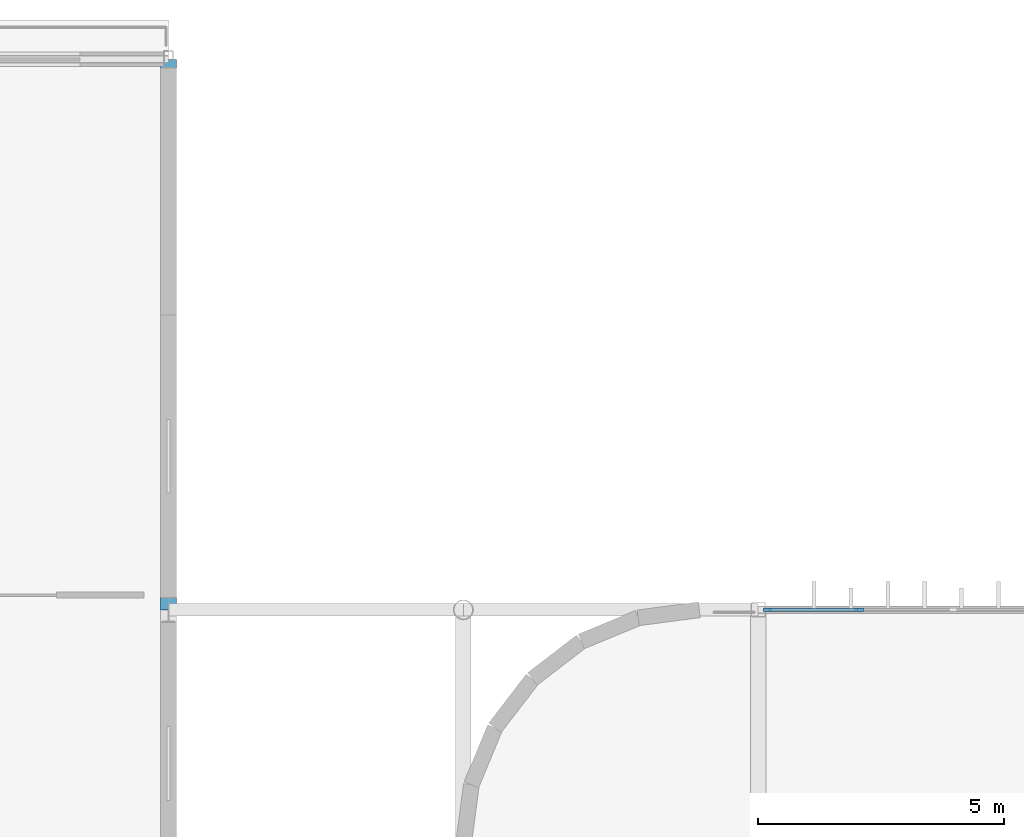
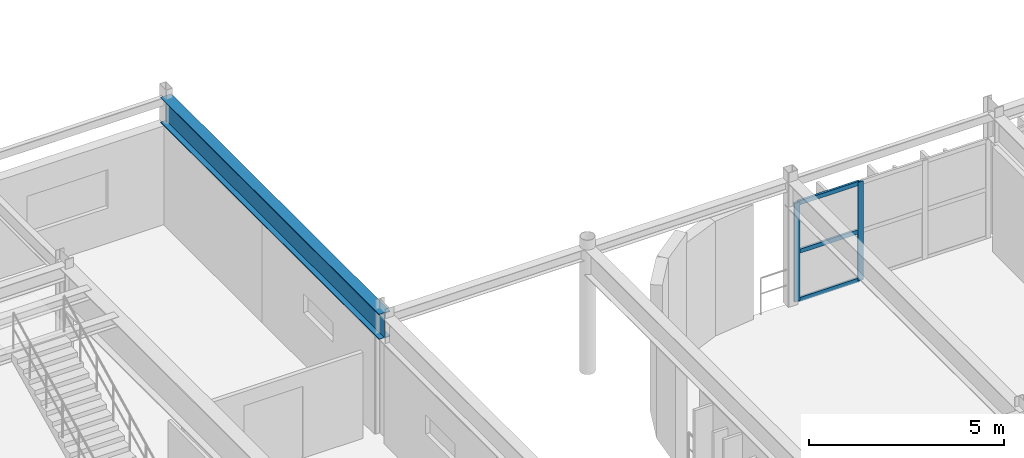
# One storey, part 66 of 116: 5 members, 1 beam, 1 element without a shape of its own.
"""IFC4 building model written with IfcOpenShell, lengths in metres."""

from ifc_helpers import new_model, si_unit, direction, frame, origin, origin_2d, place, context, subcontext, project, spatial, rectangle, i_section, extrude, material, material_profile, profile_set, type_object, element, aggregate, save


model = new_model("IFC4")

# Units and contexts
model_context = context("Model", 3, precision=1e-05, world=origin(), true_north=direction((0.0, 1.0)))
body_context = subcontext(model_context, "Body", "Model", "MODEL_VIEW")
ifc_project = project(units=[si_unit("LENGTHUNIT", "METRE"), si_unit("AREAUNIT", "SQUARE_METRE"), si_unit("VOLUMEUNIT", "CUBIC_METRE"), si_unit("PLANEANGLEUNIT", "RADIAN"), si_unit("MASSUNIT", "GRAM", prefix="KILO")], contexts=[model_context])

# Site, building, storey
site_placement = place(None, origin())
site = spatial("IfcSite", under=ifc_project, at=site_placement, CompositionType="ELEMENT")
building_placement = place(site_placement, origin())
building = spatial("IfcBuilding", under=site, at=building_placement, Name="Varnakota Square Police Headquarters", CompositionType="ELEMENT")
storey_placement = place(building_placement, frame((0.0, 0.0, 9.300048828125)))
storey = spatial("IfcBuildingStorey", under=building, at=storey_placement, Name="L02", CompositionType="ELEMENT", Elevation=9.300048828125)

# Beam
ifc_material_1 = material(Name="Steel IS 2062 Grade 350", Category="steel")
ifc_material_profile_1 = material_profile(ifc_material_1, i_section(OverallWidth=0.320068359375, OverallDepth=0.800048828125, WebThickness=0.01611328125, FlangeThickness=0.028076171875, at=origin_2d()), Name="BPG 800x320")
ifc_profile_set_1 = profile_set([ifc_material_profile_1], Name="Steel IS 2062 Grade 350")
beam_type = type_object("IfcBeamType", Name="BM-BPG800", PredefinedType="BEAM", material=ifc_profile_set_1)
beam_placement = place(storey_placement, frame((54.0, 99.0, 3.5), z_axis=(0.0, 1.0, 0.0), x_axis=(-1.0, 0.0, 0.0)))
element("IfcBeam", 1, at=beam_placement, inside=storey, type_object=beam_type, Name="BMG-L02-2207", PredefinedType="BEAM", context=body_context, shape_type="SweptSolid", body=[
    extrude(i_section(OverallWidth=0.320068359375, OverallDepth=0.800048828125, WebThickness=0.01611328125, FlangeThickness=0.028076171875, at=origin_2d()), origin(), (0.0, 0.0, 1.0), 11.199951171875),
])

# Curtain wall, members
ifc_material_2 = material(Name="Anodised Aluminium Framing", Category="aluminium")
curtain_wall_type = type_object("IfcCurtainWallType", Name="CW-SYS-C", PredefinedType="NOTDEFINED", material=ifc_material_2)
curtain_wall_placement = place(storey_placement, origin())
curtain_wall = element("IfcCurtainWall", 2, at=curtain_wall_placement, inside=storey, type_object=curtain_wall_type, Name="Unitised curtain wall CWG-L02-241", PredefinedType="NOTDEFINED")
ifc_material_3 = material(Name="Anodised Aluminium 6063-T6", Category="aluminium")
ifc_material_profile_2 = material_profile(ifc_material_3, rectangle(XDim=0.06494140625, YDim=0.159912109375, at=origin_2d()), Name="ALU MULLION 65x160")
ifc_profile_set_2 = profile_set([ifc_material_profile_2], Name="Anodised Aluminium 6063-T6")
member_type_1 = type_object("IfcMemberType", Name="CWM-150", PredefinedType="MULLION", material=ifc_profile_set_2)
member_1_placement = place(storey_placement, frame((66.1875, 99.0, 0.0), z_axis=(0.0, 0.0, 1.0), x_axis=(0.0, 1.0, 0.0)))
member_1 = element("IfcMember", 3, at=member_1_placement, type_object=member_type_1, Name="CWG-L02-241 mullion 1", PredefinedType="MULLION", context=body_context, shape_type="SweptSolid", body=[
    extrude(rectangle(XDim=0.06494140625, YDim=0.159912109375, at=origin_2d()), origin(), (0.0, 0.0, 1.0), 3.08984375),
])
member_2_placement = place(storey_placement, frame((68.06005859375, 99.0, 0.0), z_axis=(0.0, 0.0, 1.0), x_axis=(0.0, 1.0, 0.0)))
member_2 = element("IfcMember", 4, at=member_2_placement, type_object=member_type_1, Name="CWG-L02-241 mullion 2", PredefinedType="MULLION", context=body_context, shape_type="SweptSolid", body=[
    extrude(rectangle(XDim=0.06494140625, YDim=0.159912109375, at=origin_2d()), origin(), (0.0, 0.0, 1.0), 3.08984375),
])
ifc_material_profile_3 = material_profile(ifc_material_3, rectangle(XDim=0.06494140625, YDim=0.1298828125, at=origin_2d()), Name="ALU TRANSOM 65x130")
ifc_profile_set_3 = profile_set([ifc_material_profile_3], Name="Anodised Aluminium 6063-T6")
member_type_2 = type_object("IfcMemberType", Name="CWT-120", PredefinedType="USERDEFINED", material=ifc_profile_set_3)
member_3_placement = place(storey_placement, frame((66.219970703125, 99.0, 0.032470703125), z_axis=(1.0, 0.0, 0.0), x_axis=(0.0, 1.0, 0.0)))
member_3 = element("IfcMember", 5, at=member_3_placement, type_object=member_type_2, Name="CWG-L02-241 transom 1.1", ObjectType="TRANSOM", PredefinedType="USERDEFINED", context=body_context, shape_type="SweptSolid", body=[
    extrude(rectangle(XDim=0.06494140625, YDim=0.1298828125, at=origin_2d()), origin(), (0.0, 0.0, 1.0), 1.8076171875),
])
member_4_placement = place(storey_placement, frame((66.219970703125, 99.0, 1.544921875), z_axis=(1.0, 0.0, 0.0), x_axis=(0.0, 1.0, 0.0)))
member_4 = element("IfcMember", 6, at=member_4_placement, type_object=member_type_2, Name="CWG-L02-241 transom 1.2", ObjectType="TRANSOM", PredefinedType="USERDEFINED", context=body_context, shape_type="SweptSolid", body=[
    extrude(rectangle(XDim=0.06494140625, YDim=0.1298828125, at=origin_2d()), origin(), (0.0, 0.0, 1.0), 1.8076171875),
])
member_5_placement = place(storey_placement, frame((66.219970703125, 99.0, 3.057373046875), z_axis=(1.0, 0.0, 0.0), x_axis=(0.0, 1.0, 0.0)))
member_5 = element("IfcMember", 7, at=member_5_placement, type_object=member_type_2, Name="CWG-L02-241 transom 1.3", ObjectType="TRANSOM", PredefinedType="USERDEFINED", context=body_context, shape_type="SweptSolid", body=[
    extrude(rectangle(XDim=0.06494140625, YDim=0.1298828125, at=origin_2d()), origin(), (0.0, 0.0, 1.0), 1.8076171875),
])
aggregate(curtain_wall, [member_1, member_2, member_3, member_4, member_5])

save(model, "model.ifc")
